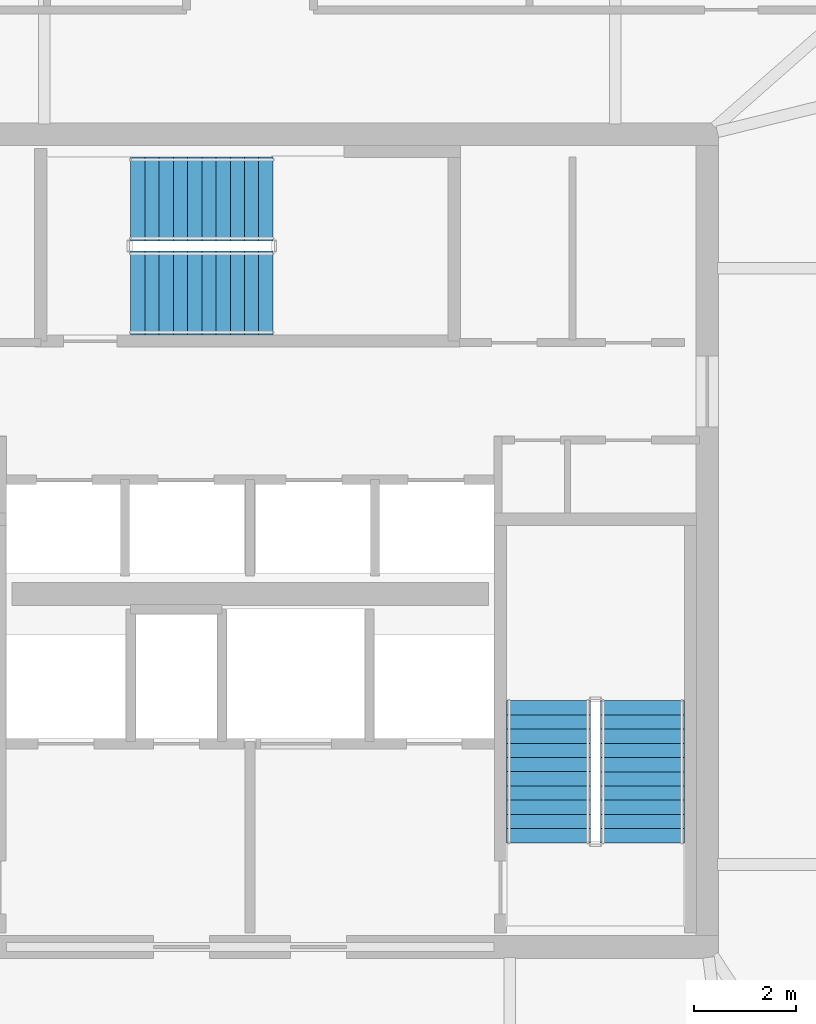
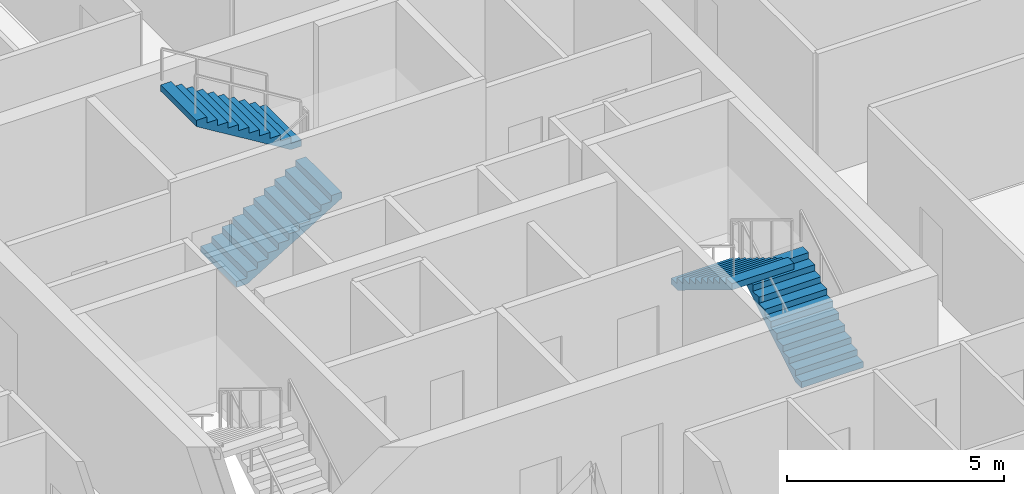
# One storey, part 24 of 29: 4 stair flights, 2 elements without a shape of their own.
"""IFC4 building model written with IfcOpenShell, lengths in metres."""

import ifcopenshell
import ifcopenshell.guid

model = None  # the IFC model being written
_history = None  # IfcOwnerHistory: only IFC2X3 demands one
_inside = {}  # id of a spatial element -> (the spatial element, [elements in it])
_under = {}  # id of a project, library or spatial element -> (it, [spatial elements below it])
_declared = {}  # id of a project -> (the project, [libraries it declares])
_typed = {}  # id of a type object -> (the type object, [elements of that type])
_made_of = {}  # id of a material, layer set ... -> (it, [elements and type objects made of it])


def new_model(schema):
    """Start an empty IFC model of exactly this schema.

    Asked for "IFC4X3", IfcOpenShell would pick the latest addendum, in which some entities
    have other attributes; the version numbers below select the first issue.
    IFC2X3 requires an IfcOwnerHistory on every rooted entity: one is made here for all.
    """
    global model, _history
    if schema == "IFC4X3":
        model = ifcopenshell.file(schema_version=(4, 3, 0, 0))
    else:
        model = ifcopenshell.file(schema=schema)
    _inside.clear()
    _under.clear()
    _declared.clear()
    _typed.clear()
    _made_of.clear()
    _history = None
    if model.schema == "IFC2X3":
        org = make("IfcOrganization", Name="unknown")
        user = make(
            "IfcPersonAndOrganization",
            ThePerson=make("IfcPerson", FamilyName="unknown"),
            TheOrganization=org,
        )
        app = make(
            "IfcApplication",
            ApplicationDeveloper=org,
            Version="unknown",
            ApplicationFullName="unknown",
            ApplicationIdentifier="unknown",
        )
        _history = make(
            "IfcOwnerHistory",
            OwningUser=user,
            OwningApplication=app,
            ChangeAction="ADDED",
            CreationDate=0,
        )
    return model


def make(cls, **values):
    """One entity of the class cls with the attributes given. An attribute that is None is left unset."""
    return model.create_entity(
        cls, **{name: value for name, value in values.items() if value is not None}
    )


def rooted(cls, **values):
    """An entity with a GlobalId (a new one), such as an element, a storey or a relation."""
    return make(cls, GlobalId=ifcopenshell.guid.new(), OwnerHistory=_history, **values)


def si_unit(unit_type, name, prefix=None):
    """IfcSIUnit, for example si_unit("LENGTHUNIT", "METRE", prefix="MILLI")."""
    return make("IfcSIUnit", UnitType=unit_type, Prefix=prefix, Name=name)


def assignment(units):
    """IfcUnitAssignment: the units of a project."""
    return None if units is None else make("IfcUnitAssignment", Units=units)


def point(xyz):
    """IfcCartesianPoint."""
    return None if xyz is None else make("IfcCartesianPoint", Coordinates=xyz)


def direction(xyz):
    """IfcDirection."""
    return None if xyz is None else make("IfcDirection", DirectionRatios=xyz)


def frame(location, z_axis=None, x_axis=None):
    """IfcAxis2Placement3D, a coordinate frame: its origin and axes. An axis left out is left unset."""
    return make(
        "IfcAxis2Placement3D",
        Location=point(location),
        Axis=direction(z_axis),
        RefDirection=direction(x_axis),
    )


def origin():
    """The frame at (0, 0, 0) with its axes left unset."""
    return frame((0.0, 0.0, 0.0))


def place(relative_to, where):
    """IfcLocalPlacement: puts the frame where relative to a parent placement (None: the world)."""
    return make(
        "IfcLocalPlacement", PlacementRelTo=relative_to, RelativePlacement=where
    )


def context(
    kind, dimensions, precision=None, world=None, true_north=None, identifier=None
):
    """IfcGeometricRepresentationContext, for example the 3D "Model" context."""
    return make(
        "IfcGeometricRepresentationContext",
        ContextIdentifier=identifier,
        ContextType=kind,
        CoordinateSpaceDimension=dimensions,
        Precision=precision,
        WorldCoordinateSystem=world,
        TrueNorth=true_north,
    )


def subcontext(parent, identifier, kind, view, scale=None):
    """IfcGeometricRepresentationSubContext, for example "Body" below "Model"."""
    return make(
        "IfcGeometricRepresentationSubContext",
        ContextIdentifier=identifier,
        ContextType=kind,
        ParentContext=parent,
        TargetScale=scale,
        TargetView=view,
    )


def project(units=None, contexts=None):
    """IfcProject with its units and contexts."""
    return rooted(
        "IfcProject",
        Name="project",
        RepresentationContexts=contexts,
        UnitsInContext=assignment(units),
    )


def spatial(cls, under=None, at=None, **own):
    """A site, building, storey or space (cls), placed at a placement, below another one or the project."""
    s = rooted(cls, ObjectPlacement=at, **own)
    if under is not None:
        _under.setdefault(under.id(), (under, []))[1].append(s)
    return s


def polyline(points):
    """IfcPolyline through the points."""
    return make("IfcPolyline", Points=[point(p) for p in points])


def outline(outer, holes=None, kind="AREA"):
    """IfcArbitraryClosedProfileDef: a profile drawn as a closed curve; with holes, ...WithVoids."""
    if holes is None:
        return make("IfcArbitraryClosedProfileDef", ProfileType=kind, OuterCurve=outer)
    return make(
        "IfcArbitraryProfileDefWithVoids",
        ProfileType=kind,
        OuterCurve=outer,
        InnerCurves=holes,
    )


def extrude(swept, where, along, depth):
    """IfcExtrudedAreaSolid: the profile swept, set in the frame where, extruded along a direction by depth."""
    return make(
        "IfcExtrudedAreaSolid",
        SweptArea=swept,
        Position=where,
        ExtrudedDirection=direction(along),
        Depth=depth,
    )


def shape(context_of_items, identifier, shape_type, items):
    """IfcShapeRepresentation: the items that make up one representation, for example the "Body"."""
    return make(
        "IfcShapeRepresentation",
        ContextOfItems=context_of_items,
        RepresentationIdentifier=identifier,
        RepresentationType=shape_type,
        Items=items,
    )


def material(Name=None, Category=None):
    """IfcMaterial."""
    return make("IfcMaterial", Name=Name, Category=Category)


def made_of(thing, what):
    """Note that an element or type object is made of a material, layer set ...; save() writes the relation."""
    if what is not None:
        _made_of.setdefault(what.id(), (what, []))[1].append(thing)
    return thing


def type_object(cls, material=None, **own):
    """A type object (cls), such as IfcWallType, which elements share."""
    return made_of(rooted(cls, **own), material)


def element(
    cls,
    number,
    at=None,
    inside=None,
    cuts=None,
    type_object=None,
    material=None,
    context=None,
    identifier="Body",
    shape_type=None,
    held_by="IfcProductDefinitionShape",
    body=None,
    shapes=None,
    **own,
):
    """One element of the class cls, such as IfcWall. Its Tag is "e" and its number.

    at: its placement. inside: the storey or other place that contains it. cuts: it is an
    opening in that element (IfcRelVoidsElement). A single representation is given by context,
    identifier, shape_type and body (its items); several are given by shapes. held_by: the class
    of the entity that holds the representations. save() writes the other relations.
    """
    e = rooted(cls, Tag="e%d" % number, ObjectPlacement=at, **own)
    if body is not None:
        shapes = [shape(context, identifier, shape_type, body)]
    if shapes is not None:
        e.Representation = make(held_by, Representations=shapes)
    if inside is not None:
        _inside.setdefault(inside.id(), (inside, []))[1].append(e)
    if cuts is not None:
        rooted(
            "IfcRelVoidsElement", RelatingBuildingElement=cuts, RelatedOpeningElement=e
        )
    if type_object is not None:
        _typed.setdefault(type_object.id(), (type_object, []))[1].append(e)
    return made_of(e, material)


def aggregate(whole, parts):
    """IfcRelAggregates: a whole, such as a stair, and the parts it consists of."""
    return rooted("IfcRelAggregates", RelatingObject=whole, RelatedObjects=parts)


def save(model, path):
    """Write the relations noted so far, then the file.

    IfcRelAggregates (storeys below a building ...), IfcRelContainedInSpatialStructure (elements
    in a storey), IfcRelDefinesByType, IfcRelAssociatesMaterial and IfcRelDeclares: one each for
    every whole, place, type object, material and project.
    """
    for whole, parts in _under.values():
        aggregate(whole, parts)
    for where, things in _inside.values():
        rooted(
            "IfcRelContainedInSpatialStructure",
            RelatedElements=things,
            RelatingStructure=where,
        )
    for kind, things in _typed.values():
        rooted("IfcRelDefinesByType", RelatedObjects=things, RelatingType=kind)
    for what, things in _made_of.values():
        rooted("IfcRelAssociatesMaterial", RelatedObjects=things, RelatingMaterial=what)
    for by, libraries in _declared.values():
        rooted("IfcRelDeclares", RelatingContext=by, RelatedDefinitions=libraries)
    model.write(path)


model = new_model("IFC4")

# Units and contexts
model_context = context("Model", 3, precision=1e-05, world=origin(), true_north=direction((0.0, 1.0)))
body_context = subcontext(model_context, "Body", "Model", "MODEL_VIEW")
ifc_project = project(units=[si_unit("LENGTHUNIT", "METRE"), si_unit("AREAUNIT", "SQUARE_METRE"), si_unit("VOLUMEUNIT", "CUBIC_METRE"), si_unit("PLANEANGLEUNIT", "RADIAN"), si_unit("MASSUNIT", "GRAM", prefix="KILO")], contexts=[model_context])

# Site, building, storey
site_placement = place(None, origin())
site = spatial("IfcSite", under=ifc_project, at=site_placement, CompositionType="ELEMENT")
building_placement = place(site_placement, origin())
building = spatial("IfcBuilding", under=site, at=building_placement, Name="Haldenkirk Collegiate Tower", CompositionType="ELEMENT")
storey_placement = place(building_placement, frame((0.0, 0.0, 267.449951171875)))
storey = spatial("IfcBuildingStorey", under=building, at=storey_placement, Name="L67", CompositionType="ELEMENT", Elevation=267.449951171875)

# Stair, stair flights
ifc_material = material(Name="Concrete f'c 40 MPa", Category="concrete")
stair_type = type_object("IfcStairType", Name="STR-DOGLEG-1650", PredefinedType="HALF_TURN_STAIR", material=ifc_material)
stair_1_placement = place(storey_placement, origin())
stair_1 = element("IfcStair", 1, at=stair_1_placement, inside=storey, type_object=stair_type, Name="L67 Core Exit Stair ST-2", PredefinedType="HALF_TURN_STAIR")
stair_flight_type = type_object("IfcStairFlightType", Name="STF-FLIGHT-1650", PredefinedType="STRAIGHT", material=ifc_material)
stair_flight_1_placement = place(storey_placement, frame((43.72509765625, 20.050048828125, 0.0), z_axis=(0.0, 0.0, 1.0), x_axis=(0.0, 1.0, 0.0)))
stair_flight_1 = element("IfcStairFlight", 2, at=stair_flight_1_placement, type_object=stair_flight_type, Name="ST-2 flight 1", NumberOfRisers=11, NumberOfTreads=10, PredefinedType="STRAIGHT", RiserHeight=0.170454545, TreadLength=0.28, context=body_context, shape_type="SweptSolid", body=[
    extrude(outline(polyline([(0.0, 0.0), (0.0, 0.17041015625), (0.280029296875, 0.17041015625), (0.280029296875, 0.3408203125), (0.56005859375, 0.3408203125), (0.56005859375, 0.511474609375), (0.840087890625, 0.511474609375), (0.840087890625, 0.681884765625), (1.1201171875, 0.681884765625), (1.1201171875, 0.852294921875), (1.39990234375, 0.852294921875), (1.39990234375, 1.022705078125), (1.679931640625, 1.022705078125), (1.679931640625, 1.193115234375), (1.9599609375, 1.193115234375), (1.9599609375, 1.363525390625), (2.239990234375, 1.363525390625), (2.239990234375, 1.5341796875), (2.52001953125, 1.5341796875), (2.52001953125, 1.70458984375), (2.800048828125, 1.70458984375), (2.800048828125, 1.875), (2.800048828125, 1.529052734375), (0.288330078125, 0.0), (0.0, 0.0)])), frame((0.0, 0.824951171875, 0.0), z_axis=(0.0, -1.0, 0.0), x_axis=(1.0, 0.0, 0.0)), (0.0, 0.0, 1.0), 1.64990234375),
])
stair_flight_2_placement = place(storey_placement, frame((41.875, 22.85009765625, 1.875), z_axis=(0.0, 0.0, 1.0), x_axis=(0.0, -1.0, 0.0)))
stair_flight_2 = element("IfcStairFlight", 3, at=stair_flight_2_placement, type_object=stair_flight_type, Name="ST-2 flight 2", NumberOfRisers=11, NumberOfTreads=10, PredefinedType="STRAIGHT", RiserHeight=0.170454545, TreadLength=0.28, context=body_context, shape_type="SweptSolid", body=[
    extrude(outline(polyline([(0.0, 0.0), (0.0, 0.17041015625), (0.280029296875, 0.17041015625), (0.280029296875, 0.3408203125), (0.56005859375, 0.3408203125), (0.56005859375, 0.511474609375), (0.840087890625, 0.511474609375), (0.840087890625, 0.681884765625), (1.1201171875, 0.681884765625), (1.1201171875, 0.852294921875), (1.39990234375, 0.852294921875), (1.39990234375, 1.022705078125), (1.679931640625, 1.022705078125), (1.679931640625, 1.193115234375), (1.9599609375, 1.193115234375), (1.9599609375, 1.363525390625), (2.239990234375, 1.363525390625), (2.239990234375, 1.5341796875), (2.52001953125, 1.5341796875), (2.52001953125, 1.70458984375), (2.800048828125, 1.70458984375), (2.800048828125, 1.875), (2.800048828125, 1.529052734375), (0.288330078125, 0.0), (0.0, 0.0)])), frame((0.0, 0.824951171875, 0.0), z_axis=(0.0, -1.0, 0.0), x_axis=(1.0, 0.0, 0.0)), (0.0, 0.0, 1.0), 1.64990234375),
])
aggregate(stair_1, [stair_flight_1, stair_flight_2])

stair_2_placement = place(storey_placement, origin())
stair_2 = element("IfcStair", 4, at=stair_2_placement, inside=storey, type_object=stair_type, Name="L67 Core Exit Stair ST-3", PredefinedType="HALF_TURN_STAIR")
stair_flight_3_placement = place(storey_placement, frame((33.64990234375, 30.875, 0.0), z_axis=(0.0, 0.0, 1.0), x_axis=(1.0, 0.0, 0.0)))
stair_flight_3 = element("IfcStairFlight", 5, at=stair_flight_3_placement, type_object=stair_flight_type, Name="ST-3 flight 1", NumberOfRisers=11, NumberOfTreads=10, PredefinedType="STRAIGHT", RiserHeight=0.170454545, TreadLength=0.28, context=body_context, shape_type="SweptSolid", body=[
    extrude(outline(polyline([(0.0, 0.0), (0.0, 0.17041015625), (0.280029296875, 0.17041015625), (0.280029296875, 0.3408203125), (0.56005859375, 0.3408203125), (0.56005859375, 0.511474609375), (0.840087890625, 0.511474609375), (0.840087890625, 0.681884765625), (1.1201171875, 0.681884765625), (1.1201171875, 0.852294921875), (1.39990234375, 0.852294921875), (1.39990234375, 1.022705078125), (1.679931640625, 1.022705078125), (1.679931640625, 1.193115234375), (1.9599609375, 1.193115234375), (1.9599609375, 1.363525390625), (2.239990234375, 1.363525390625), (2.239990234375, 1.5341796875), (2.52001953125, 1.5341796875), (2.52001953125, 1.70458984375), (2.800048828125, 1.70458984375), (2.800048828125, 1.875), (2.800048828125, 1.529052734375), (0.288330078125, 0.0), (0.0, 0.0)])), frame((0.0, 0.824951171875, 0.0), z_axis=(0.0, -1.0, 0.0), x_axis=(1.0, 0.0, 0.0)), (0.0, 0.0, 1.0), 1.64990234375),
])
stair_flight_4_placement = place(storey_placement, frame((36.449951171875, 32.72509765625, 1.875), z_axis=(0.0, 0.0, 1.0), x_axis=(-1.0, 0.0, 0.0)))
stair_flight_4 = element("IfcStairFlight", 6, at=stair_flight_4_placement, type_object=stair_flight_type, Name="ST-3 flight 2", NumberOfRisers=11, NumberOfTreads=10, PredefinedType="STRAIGHT", RiserHeight=0.170454545, TreadLength=0.28, context=body_context, shape_type="SweptSolid", body=[
    extrude(outline(polyline([(0.0, 0.0), (0.0, 0.17041015625), (0.280029296875, 0.17041015625), (0.280029296875, 0.3408203125), (0.56005859375, 0.3408203125), (0.56005859375, 0.511474609375), (0.840087890625, 0.511474609375), (0.840087890625, 0.681884765625), (1.1201171875, 0.681884765625), (1.1201171875, 0.852294921875), (1.39990234375, 0.852294921875), (1.39990234375, 1.022705078125), (1.679931640625, 1.022705078125), (1.679931640625, 1.193115234375), (1.9599609375, 1.193115234375), (1.9599609375, 1.363525390625), (2.239990234375, 1.363525390625), (2.239990234375, 1.5341796875), (2.52001953125, 1.5341796875), (2.52001953125, 1.70458984375), (2.800048828125, 1.70458984375), (2.800048828125, 1.875), (2.800048828125, 1.529052734375), (0.288330078125, 0.0), (0.0, 0.0)])), frame((0.0, 0.824951171875, 0.0), z_axis=(0.0, -1.0, 0.0), x_axis=(1.0, 0.0, 0.0)), (0.0, 0.0, 1.0), 1.64990234375),
])
aggregate(stair_2, [stair_flight_3, stair_flight_4])

save(model, "model.ifc")
